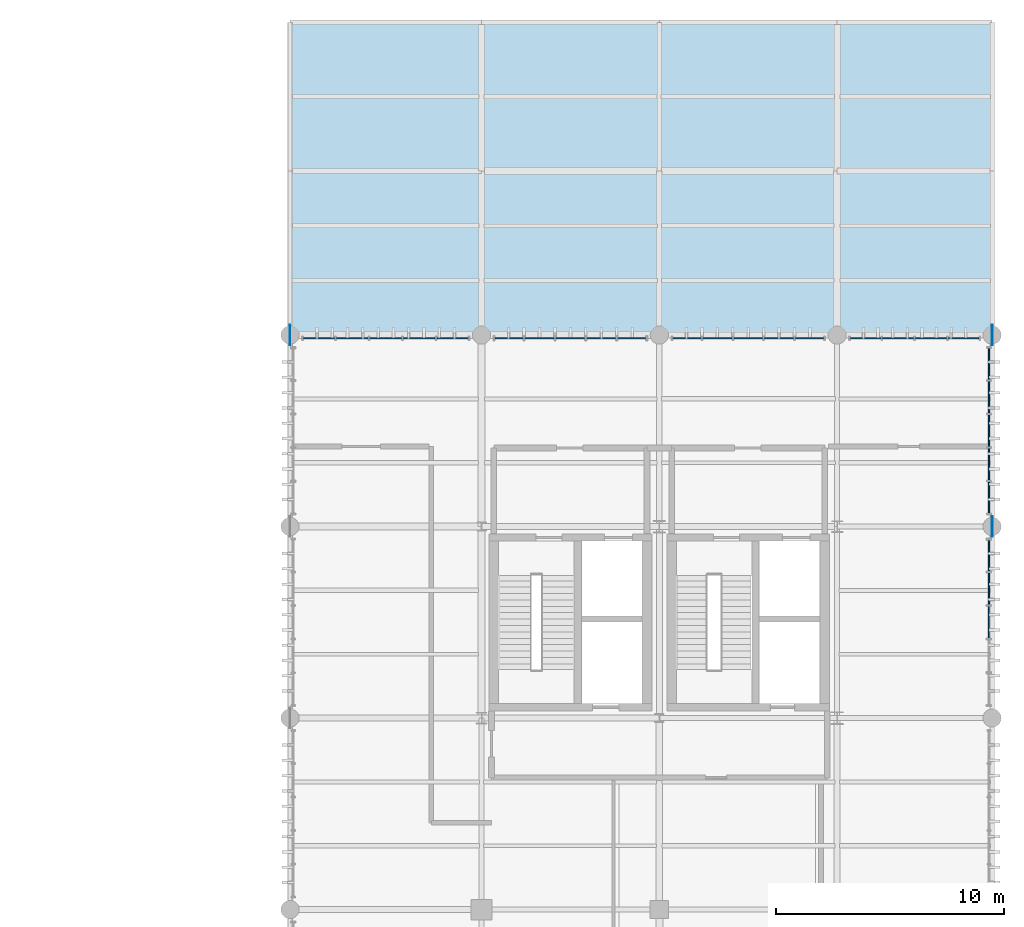
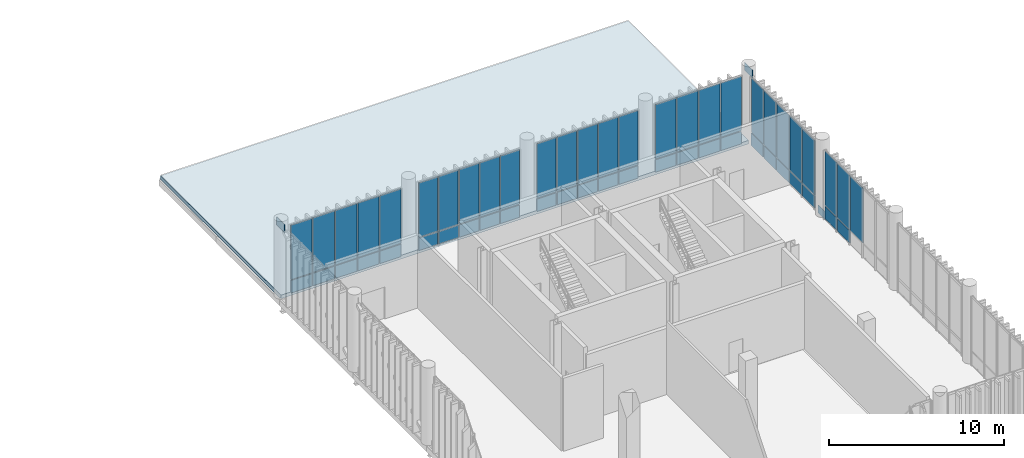
# One storey, part 103 of 128: 56 plates, 1 slab, 6 elements without a shape of their own.
"""IFC4 building model written with IfcOpenShell, lengths in metres."""

from ifc_helpers import new_model, si_unit, direction, frame, frame_2d, origin_with_axes, origin_2d_with_axis, place, context, subcontext, project, spatial, polyline, rectangle, outline, extrude, material, layer, layer_set, type_object, element, aggregate, save


model = new_model("IFC4")

# Units and contexts
model_context = context("Model", 3, precision=1e-05, world=origin_with_axes(), true_north=direction((0.0, 1.0)))
body_context = subcontext(model_context, "Body", "Model", "MODEL_VIEW")
ifc_project = project(units=[si_unit("LENGTHUNIT", "METRE"), si_unit("AREAUNIT", "SQUARE_METRE"), si_unit("VOLUMEUNIT", "CUBIC_METRE"), si_unit("PLANEANGLEUNIT", "RADIAN"), si_unit("MASSUNIT", "GRAM", prefix="KILO"), si_unit("THERMODYNAMICTEMPERATUREUNIT", "KELVIN")], contexts=[model_context])

# Site, building, storey
site_placement = place(None, origin_with_axes())
site = spatial("IfcSite", under=ifc_project, at=site_placement, CompositionType="ELEMENT")
building_placement = place(site_placement, origin_with_axes())
building = spatial("IfcBuilding", under=site, at=building_placement, Name="Montbau Bow Law Courts", CompositionType="ELEMENT")
storey_placement = place(building_placement, frame((0.0, 0.0, 5.4), z_axis=(0.0, 0.0, 1.0), x_axis=(1.0, 0.0, 0.0)))
storey = spatial("IfcBuildingStorey", under=building, at=storey_placement, Name="L01", CompositionType="ELEMENT", Elevation=5.4)

# Curtain wall, plates
ifc_material_1 = material(Name="Thermally Broken Extruded Aluminium AA 6063-T6", Category="aluminium")
curtain_wall_type = type_object("IfcCurtainWallType", Name="CW-SLT-01", PredefinedType="NOTDEFINED", material=ifc_material_1)
curtain_wall_1_placement = place(None, frame((139.115, 103.06, 5.4), z_axis=(0.0, 0.0, 1.0), x_axis=(1.0, 0.0, 0.0)))
curtain_wall_1 = element("IfcCurtainWall", 1, at=curtain_wall_1_placement, inside=storey, type_object=curtain_wall_type, Name="CW-L01-281:cw_0281", PredefinedType="NOTDEFINED")
ifc_material_2 = material(Name="Triple-Glazed Low-E Argon Insulating Glass Unit", Category="glass")
ifc_layer_1 = layer(ifc_material_2, 0.044, Name="Curtain Panel", Category="glass")
ifc_layer_set_1 = layer_set([ifc_layer_1], Name="Triple-Glazed Low-E Argon Insulating Glass Unit")
plate_type_1 = type_object("IfcPlateType", Name="PL-CWP-01", PredefinedType="CURTAIN_PANEL", material=ifc_layer_set_1)
plate_1_placement = place(None, frame((139.177, 103.06, 6.379), z_axis=(0.0, -1.0, 0.0), x_axis=(1.0, 0.0, 0.0)))
plate_1 = element("IfcPlate", 2, at=plate_1_placement, type_object=plate_type_1, Name="CW-L01-281-P01-2:cw_0281_P01_2", PredefinedType="CURTAIN_PANEL", context=body_context, shape_type="SweptSolid", body=[
    extrude(rectangle(XDim=1.38, YDim=3.784, at=frame_2d((0.69, 1.892), x_axis=(1.0, 0.0))), frame((0.0, 0.0, -0.022), z_axis=(0.0, 0.0, 1.0), x_axis=(1.0, 0.0, 0.0)), (0.0, 0.0, 1.0), 0.044),
])
plate_2_placement = place(None, frame((140.621, 103.06, 6.379), z_axis=(0.0, -1.0, 0.0), x_axis=(1.0, 0.0, 0.0)))
plate_2 = element("IfcPlate", 3, at=plate_2_placement, type_object=plate_type_1, Name="CW-L01-281-P02-2:cw_0281_P02_2", PredefinedType="CURTAIN_PANEL", context=body_context, shape_type="SweptSolid", body=[
    extrude(rectangle(XDim=1.41, YDim=3.784, at=frame_2d((0.705, 1.892), x_axis=(1.0, 0.0))), frame((0.0, 0.0, -0.022), z_axis=(0.0, 0.0, 1.0), x_axis=(1.0, 0.0, 0.0)), (0.0, 0.0, 1.0), 0.044),
])
plate_3_placement = place(None, frame((142.095, 103.06, 6.379), z_axis=(0.0, -1.0, 0.0), x_axis=(1.0, 0.0, 0.0)))
plate_3 = element("IfcPlate", 4, at=plate_3_placement, type_object=plate_type_1, Name="CW-L01-281-P03-2:cw_0281_P03_2", PredefinedType="CURTAIN_PANEL", context=body_context, shape_type="SweptSolid", body=[
    extrude(rectangle(XDim=1.41, YDim=3.784, at=frame_2d((0.705, 1.892), x_axis=(1.0, 0.0))), frame((0.0, 0.0, -0.022), z_axis=(0.0, 0.0, 1.0), x_axis=(1.0, 0.0, 0.0)), (0.0, 0.0, 1.0), 0.044),
])
plate_4_placement = place(None, frame((143.569, 103.06, 6.379), z_axis=(0.0, -1.0, 0.0), x_axis=(1.0, 0.0, 0.0)))
plate_4 = element("IfcPlate", 5, at=plate_4_placement, type_object=plate_type_1, Name="CW-L01-281-P04-2:cw_0281_P04_2", PredefinedType="CURTAIN_PANEL", context=body_context, shape_type="SweptSolid", body=[
    extrude(rectangle(XDim=1.41, YDim=3.784, at=frame_2d((0.705, 1.892), x_axis=(1.0, 0.0))), frame((0.0, 0.0, -0.022), z_axis=(0.0, 0.0, 1.0), x_axis=(1.0, 0.0, 0.0)), (0.0, 0.0, 1.0), 0.044),
])
plate_5_placement = place(None, frame((145.043, 103.06, 6.379), z_axis=(0.0, -1.0, 0.0), x_axis=(1.0, 0.0, 0.0)))
plate_5 = element("IfcPlate", 6, at=plate_5_placement, type_object=plate_type_1, Name="CW-L01-281-P05-2:cw_0281_P05_2", PredefinedType="CURTAIN_PANEL", context=body_context, shape_type="SweptSolid", body=[
    extrude(rectangle(XDim=1.38, YDim=3.784, at=frame_2d((0.69, 1.892), x_axis=(1.0, 0.0))), frame((0.0, 0.0, -0.022), z_axis=(0.0, 0.0, 1.0), x_axis=(1.0, 0.0, 0.0)), (0.0, 0.0, 1.0), 0.044),
])

curtain_wall_2_placement = place(None, frame((147.515, 103.06, 5.4), z_axis=(0.0, 0.0, 1.0), x_axis=(1.0, 0.0, 0.0)))
curtain_wall_2 = element("IfcCurtainWall", 7, at=curtain_wall_2_placement, inside=storey, type_object=curtain_wall_type, Name="CW-L01-282:cw_0282", PredefinedType="NOTDEFINED")
plate_6_placement = place(None, frame((147.591, 103.06, 6.382), z_axis=(0.0, -1.0, 0.0), x_axis=(1.0, 0.0, 0.0)))
plate_6 = element("IfcPlate", 8, at=plate_6_placement, type_object=plate_type_1, Name="CW-L01-282-P01-2:cw_0282_P01_2", PredefinedType="CURTAIN_PANEL", context=body_context, shape_type="SweptSolid", body=[
    extrude(rectangle(XDim=1.239, YDim=3.776, at=frame_2d((0.6195, 1.888), x_axis=(1.0, 0.0))), frame((0.0, 0.0, -0.022), z_axis=(0.0, 0.0, 1.0), x_axis=(1.0, 0.0, 0.0)), (0.0, 0.0, 1.0), 0.044),
])
plate_7_placement = place(None, frame((148.909, 103.06, 6.382), z_axis=(0.0, -1.0, 0.0), x_axis=(1.0, 0.0, 0.0)))
plate_7 = element("IfcPlate", 9, at=plate_7_placement, type_object=plate_type_1, Name="CW-L01-282-P02-2:cw_0282_P02_2", PredefinedType="CURTAIN_PANEL", context=body_context, shape_type="SweptSolid", body=[
    extrude(rectangle(XDim=1.275, YDim=3.776, at=frame_2d((0.6375, 1.888), x_axis=(1.0, 0.0))), frame((0.0, 0.0, -0.022), z_axis=(0.0, 0.0, 1.0), x_axis=(1.0, 0.0, 0.0)), (0.0, 0.0, 1.0), 0.044),
])
plate_8_placement = place(None, frame((150.263, 103.06, 6.382), z_axis=(0.0, -1.0, 0.0), x_axis=(1.0, 0.0, 0.0)))
plate_8 = element("IfcPlate", 10, at=plate_8_placement, type_object=plate_type_1, Name="CW-L01-282-P03-2:cw_0282_P03_2", PredefinedType="CURTAIN_PANEL", context=body_context, shape_type="SweptSolid", body=[
    extrude(rectangle(XDim=1.275, YDim=3.776, at=frame_2d((0.6375, 1.888), x_axis=(1.0, 0.0))), frame((0.0, 0.0, -0.022), z_axis=(0.0, 0.0, 1.0), x_axis=(1.0, 0.0, 0.0)), (0.0, 0.0, 1.0), 0.044),
])
plate_9_placement = place(None, frame((151.616, 103.06, 6.382), z_axis=(0.0, -1.0, 0.0), x_axis=(1.0, 0.0, 0.0)))
plate_9 = element("IfcPlate", 11, at=plate_9_placement, type_object=plate_type_1, Name="CW-L01-282-P04-2:cw_0282_P04_2", PredefinedType="CURTAIN_PANEL", context=body_context, shape_type="SweptSolid", body=[
    extrude(rectangle(XDim=1.276, YDim=3.776, at=frame_2d((0.638, 1.888), x_axis=(1.0, 0.0))), frame((0.0, 0.0, -0.022), z_axis=(0.0, 0.0, 1.0), x_axis=(1.0, 0.0, 0.0)), (0.0, 0.0, 1.0), 0.044),
])
plate_10_placement = place(None, frame((152.97, 103.06, 6.382), z_axis=(0.0, -1.0, 0.0), x_axis=(1.0, 0.0, 0.0)))
plate_10 = element("IfcPlate", 12, at=plate_10_placement, type_object=plate_type_1, Name="CW-L01-282-P05-2:cw_0282_P05_2", PredefinedType="CURTAIN_PANEL", context=body_context, shape_type="SweptSolid", body=[
    extrude(rectangle(XDim=1.239, YDim=3.776, at=frame_2d((0.6195, 1.888), x_axis=(1.0, 0.0))), frame((0.0, 0.0, -0.022), z_axis=(0.0, 0.0, 1.0), x_axis=(1.0, 0.0, 0.0)), (0.0, 0.0, 1.0), 0.044),
])

curtain_wall_3_placement = place(None, frame((155.315, 103.06, 5.4), z_axis=(0.0, 0.0, 1.0), x_axis=(1.0, 0.0, 0.0)))
curtain_wall_3 = element("IfcCurtainWall", 13, at=curtain_wall_3_placement, inside=storey, type_object=curtain_wall_type, Name="CW-L01-283:cw_0283", PredefinedType="NOTDEFINED")
plate_11_placement = place(None, frame((155.383, 103.06, 6.379), z_axis=(0.0, -1.0, 0.0), x_axis=(1.0, 0.0, 0.0)))
plate_11 = element("IfcPlate", 14, at=plate_11_placement, type_object=plate_type_1, Name="CW-L01-283-P01-2:cw_0283_P01_2", PredefinedType="CURTAIN_PANEL", context=body_context, shape_type="SweptSolid", body=[
    extrude(rectangle(XDim=1.252, YDim=3.784, at=frame_2d((0.626, 1.892), x_axis=(1.0, 0.0))), frame((0.0, 0.0, -0.022), z_axis=(0.0, 0.0, 1.0), x_axis=(1.0, 0.0, 0.0)), (0.0, 0.0, 1.0), 0.044),
])
plate_12_placement = place(None, frame((156.704, 103.06, 6.379), z_axis=(0.0, -1.0, 0.0), x_axis=(1.0, 0.0, 0.0)))
plate_12 = element("IfcPlate", 15, at=plate_12_placement, type_object=plate_type_1, Name="CW-L01-283-P02-2:cw_0283_P02_2", PredefinedType="CURTAIN_PANEL", context=body_context, shape_type="SweptSolid", body=[
    extrude(rectangle(XDim=1.285, YDim=3.784, at=frame_2d((0.6425, 1.892), x_axis=(1.0, 0.0))), frame((0.0, 0.0, -0.022), z_axis=(0.0, 0.0, 1.0), x_axis=(1.0, 0.0, 0.0)), (0.0, 0.0, 1.0), 0.044),
])
plate_13_placement = place(None, frame((158.058, 103.06, 6.379), z_axis=(0.0, -1.0, 0.0), x_axis=(1.0, 0.0, 0.0)))
plate_13 = element("IfcPlate", 16, at=plate_13_placement, type_object=plate_type_1, Name="CW-L01-283-P03-2:cw_0283_P03_2", PredefinedType="CURTAIN_PANEL", context=body_context, shape_type="SweptSolid", body=[
    extrude(rectangle(XDim=1.285, YDim=3.784, at=frame_2d((0.6425, 1.892), x_axis=(1.0, 0.0))), frame((0.0, 0.0, -0.022), z_axis=(0.0, 0.0, 1.0), x_axis=(1.0, 0.0, 0.0)), (0.0, 0.0, 1.0), 0.044),
])
plate_14_placement = place(None, frame((159.411, 103.06, 6.379), z_axis=(0.0, -1.0, 0.0), x_axis=(1.0, 0.0, 0.0)))
plate_14 = element("IfcPlate", 17, at=plate_14_placement, type_object=plate_type_1, Name="CW-L01-283-P04-2:cw_0283_P04_2", PredefinedType="CURTAIN_PANEL", context=body_context, shape_type="SweptSolid", body=[
    extrude(rectangle(XDim=1.286, YDim=3.784, at=frame_2d((0.643, 1.892), x_axis=(1.0, 0.0))), frame((0.0, 0.0, -0.022), z_axis=(0.0, 0.0, 1.0), x_axis=(1.0, 0.0, 0.0)), (0.0, 0.0, 1.0), 0.044),
])
plate_15_placement = place(None, frame((160.765, 103.06, 6.379), z_axis=(0.0, -1.0, 0.0), x_axis=(1.0, 0.0, 0.0)))
plate_15 = element("IfcPlate", 18, at=plate_15_placement, type_object=plate_type_1, Name="CW-L01-283-P05-2:cw_0283_P05_2", PredefinedType="CURTAIN_PANEL", context=body_context, shape_type="SweptSolid", body=[
    extrude(rectangle(XDim=1.254, YDim=3.784, at=frame_2d((0.627, 1.892), x_axis=(1.0, 0.0))), frame((0.0, 0.0, -0.022), z_axis=(0.0, 0.0, 1.0), x_axis=(1.0, 0.0, 0.0)), (0.0, 0.0, 1.0), 0.044),
])

curtain_wall_4_placement = place(None, frame((163.115, 103.06, 5.4), z_axis=(0.0, 0.0, 1.0), x_axis=(1.0, 0.0, 0.0)))
curtain_wall_4 = element("IfcCurtainWall", 19, at=curtain_wall_4_placement, inside=storey, type_object=curtain_wall_type, Name="CW-L01-284:cw_0284", PredefinedType="NOTDEFINED")
plate_16_placement = place(None, frame((163.177, 103.06, 6.382), z_axis=(0.0, -1.0, 0.0), x_axis=(1.0, 0.0, 0.0)))
plate_16 = element("IfcPlate", 20, at=plate_16_placement, type_object=plate_type_1, Name="CW-L01-284-P01-2:cw_0284_P01_2", PredefinedType="CURTAIN_PANEL", context=body_context, shape_type="SweptSolid", body=[
    extrude(rectangle(XDim=1.348, YDim=3.776, at=frame_2d((0.674, 1.888), x_axis=(1.0, 0.0))), frame((0.0, 0.0, -0.022), z_axis=(0.0, 0.0, 1.0), x_axis=(1.0, 0.0, 0.0)), (0.0, 0.0, 1.0), 0.044),
])
plate_17_placement = place(None, frame((164.589, 103.06, 6.382), z_axis=(0.0, -1.0, 0.0), x_axis=(1.0, 0.0, 0.0)))
plate_17 = element("IfcPlate", 21, at=plate_17_placement, type_object=plate_type_1, Name="CW-L01-284-P02-2:cw_0284_P02_2", PredefinedType="CURTAIN_PANEL", context=body_context, shape_type="SweptSolid", body=[
    extrude(rectangle(XDim=1.379, YDim=3.776, at=frame_2d((0.6895, 1.888), x_axis=(1.0, 0.0))), frame((0.0, 0.0, -0.022), z_axis=(0.0, 0.0, 1.0), x_axis=(1.0, 0.0, 0.0)), (0.0, 0.0, 1.0), 0.044),
])
plate_18_placement = place(None, frame((166.032, 103.06, 6.382), z_axis=(0.0, -1.0, 0.0), x_axis=(1.0, 0.0, 0.0)))
plate_18 = element("IfcPlate", 22, at=plate_18_placement, type_object=plate_type_1, Name="CW-L01-284-P03-2:cw_0284_P03_2", PredefinedType="CURTAIN_PANEL", context=body_context, shape_type="SweptSolid", body=[
    extrude(rectangle(XDim=1.378, YDim=3.776, at=frame_2d((0.689, 1.888), x_axis=(1.0, 0.0))), frame((0.0, 0.0, -0.022), z_axis=(0.0, 0.0, 1.0), x_axis=(1.0, 0.0, 0.0)), (0.0, 0.0, 1.0), 0.044),
])
plate_19_placement = place(None, frame((167.474, 103.06, 6.382), z_axis=(0.0, -1.0, 0.0), x_axis=(1.0, 0.0, 0.0)))
plate_19 = element("IfcPlate", 23, at=plate_19_placement, type_object=plate_type_1, Name="CW-L01-284-P04-2:cw_0284_P04_2", PredefinedType="CURTAIN_PANEL", context=body_context, shape_type="SweptSolid", body=[
    extrude(rectangle(XDim=1.349, YDim=3.776, at=frame_2d((0.6745, 1.888), x_axis=(1.0, 0.0))), frame((0.0, 0.0, -0.022), z_axis=(0.0, 0.0, 1.0), x_axis=(1.0, 0.0, 0.0)), (0.0, 0.0, 1.0), 0.044),
])

curtain_wall_5_placement = place(None, frame((169.26, 86.915, 5.4), z_axis=(0.0, 0.0, 1.0), x_axis=(1.0, 0.0, 0.0)))
curtain_wall_5 = element("IfcCurtainWall", 24, at=curtain_wall_5_placement, inside=storey, type_object=curtain_wall_type, Name="CW-L01-291:cw_0291", PredefinedType="NOTDEFINED")
plate_20_placement = place(None, frame((169.26, 89.902, 6.379), z_axis=(1.0, 0.0, 0.0), x_axis=(0.0, 1.0, 0.0)))
plate_20 = element("IfcPlate", 25, at=plate_20_placement, type_object=plate_type_1, Name="CW-L01-291-P03-2:cw_0291_P03_2", PredefinedType="CURTAIN_PANEL", context=body_context, shape_type="SweptSolid", body=[
    extrude(rectangle(XDim=1.396, YDim=3.784, at=frame_2d((0.698, 1.892), x_axis=(1.0, 0.0))), frame((0.0, 0.0, -0.022), z_axis=(0.0, 0.0, 1.0), x_axis=(1.0, 0.0, 0.0)), (0.0, 0.0, 1.0), 0.044),
])
plate_21_placement = place(None, frame((169.26, 91.376, 6.379), z_axis=(1.0, 0.0, 0.0), x_axis=(0.0, 1.0, 0.0)))
plate_21 = element("IfcPlate", 26, at=plate_21_placement, type_object=plate_type_1, Name="CW-L01-291-P04-2:cw_0291_P04_2", PredefinedType="CURTAIN_PANEL", context=body_context, shape_type="SweptSolid", body=[
    extrude(rectangle(XDim=1.396, YDim=3.784, at=frame_2d((0.698, 1.892), x_axis=(1.0, 0.0))), frame((0.0, 0.0, -0.022), z_axis=(0.0, 0.0, 1.0), x_axis=(1.0, 0.0, 0.0)), (0.0, 0.0, 1.0), 0.044),
])
plate_22_placement = place(None, frame((169.26, 92.85, 6.379), z_axis=(1.0, 0.0, 0.0), x_axis=(0.0, 1.0, 0.0)))
plate_22 = element("IfcPlate", 27, at=plate_22_placement, type_object=plate_type_1, Name="CW-L01-291-P05-2:cw_0291_P05_2", PredefinedType="CURTAIN_PANEL", context=body_context, shape_type="SweptSolid", body=[
    extrude(rectangle(XDim=1.358, YDim=3.784, at=frame_2d((0.679, 1.892), x_axis=(1.0, 0.0))), frame((0.0, 0.0, -0.022), z_axis=(0.0, 0.0, 1.0), x_axis=(1.0, 0.0, 0.0)), (0.0, 0.0, 1.0), 0.044),
])

curtain_wall_6_placement = place(None, frame((169.26, 95.315, 5.4), z_axis=(0.0, 0.0, 1.0), x_axis=(1.0, 0.0, 0.0)))
curtain_wall_6 = element("IfcCurtainWall", 28, at=curtain_wall_6_placement, inside=storey, type_object=curtain_wall_type, Name="CW-L01-292:cw_0292", PredefinedType="NOTDEFINED")
plate_23_placement = place(None, frame((169.26, 95.383, 6.382), z_axis=(1.0, 0.0, 0.0), x_axis=(0.0, 1.0, 0.0)))
plate_23 = element("IfcPlate", 29, at=plate_23_placement, type_object=plate_type_1, Name="CW-L01-292-P01-2:cw_0292_P01_2", PredefinedType="CURTAIN_PANEL", context=body_context, shape_type="SweptSolid", body=[
    extrude(rectangle(XDim=1.372, YDim=3.776, at=frame_2d((0.686, 1.888), x_axis=(1.0, 0.0))), frame((0.0, 0.0, -0.022), z_axis=(0.0, 0.0, 1.0), x_axis=(1.0, 0.0, 0.0)), (0.0, 0.0, 1.0), 0.044),
])
plate_24_placement = place(None, frame((169.26, 96.823, 6.382), z_axis=(1.0, 0.0, 0.0), x_axis=(0.0, 1.0, 0.0)))
plate_24 = element("IfcPlate", 30, at=plate_24_placement, type_object=plate_type_1, Name="CW-L01-292-P02-2:cw_0292_P02_2", PredefinedType="CURTAIN_PANEL", context=body_context, shape_type="SweptSolid", body=[
    extrude(rectangle(XDim=1.405, YDim=3.776, at=frame_2d((0.7025, 1.888), x_axis=(1.0, 0.0))), frame((0.0, 0.0, -0.022), z_axis=(0.0, 0.0, 1.0), x_axis=(1.0, 0.0, 0.0)), (0.0, 0.0, 1.0), 0.044),
])
plate_25_placement = place(None, frame((169.26, 98.297, 6.382), z_axis=(1.0, 0.0, 0.0), x_axis=(0.0, 1.0, 0.0)))
plate_25 = element("IfcPlate", 31, at=plate_25_placement, type_object=plate_type_1, Name="CW-L01-292-P03-2:cw_0292_P03_2", PredefinedType="CURTAIN_PANEL", context=body_context, shape_type="SweptSolid", body=[
    extrude(rectangle(XDim=1.406, YDim=3.776, at=frame_2d((0.703, 1.888), x_axis=(1.0, 0.0))), frame((0.0, 0.0, -0.022), z_axis=(0.0, 0.0, 1.0), x_axis=(1.0, 0.0, 0.0)), (0.0, 0.0, 1.0), 0.044),
])
plate_26_placement = place(None, frame((169.26, 99.771, 6.382), z_axis=(1.0, 0.0, 0.0), x_axis=(0.0, 1.0, 0.0)))
plate_26 = element("IfcPlate", 32, at=plate_26_placement, type_object=plate_type_1, Name="CW-L01-292-P04-2:cw_0292_P04_2", PredefinedType="CURTAIN_PANEL", context=body_context, shape_type="SweptSolid", body=[
    extrude(rectangle(XDim=1.406, YDim=3.776, at=frame_2d((0.703, 1.888), x_axis=(1.0, 0.0))), frame((0.0, 0.0, -0.022), z_axis=(0.0, 0.0, 1.0), x_axis=(1.0, 0.0, 0.0)), (0.0, 0.0, 1.0), 0.044),
])
plate_27_placement = place(None, frame((169.26, 101.245, 6.382), z_axis=(1.0, 0.0, 0.0), x_axis=(0.0, 1.0, 0.0)))
plate_27 = element("IfcPlate", 33, at=plate_27_placement, type_object=plate_type_1, Name="CW-L01-292-P05-2:cw_0292_P05_2", PredefinedType="CURTAIN_PANEL", context=body_context, shape_type="SweptSolid", body=[
    extrude(rectangle(XDim=1.374, YDim=3.776, at=frame_2d((0.687, 1.888), x_axis=(1.0, 0.0))), frame((0.0, 0.0, -0.022), z_axis=(0.0, 0.0, 1.0), x_axis=(1.0, 0.0, 0.0)), (0.0, 0.0, 1.0), 0.044),
])

# Plate
ifc_material_3 = material(Name="Insulated Ceramic-Frit Spandrel Glazing Unit", Category="glass")
ifc_layer_2 = layer(ifc_material_3, 0.056, Name="Curtain Panel", Category="glass")
ifc_layer_set_2 = layer_set([ifc_layer_2], Name="Insulated Ceramic-Frit Spandrel Glazing Unit")
plate_type_2 = type_object("IfcPlateType", Name="PL-CWP-02", PredefinedType="CURTAIN_PANEL", material=ifc_layer_set_2)
plate_28_placement = place(None, frame((139.177, 103.06, 5.457), z_axis=(0.0, -1.0, 0.0), x_axis=(1.0, 0.0, 0.0)))
plate_28 = element("IfcPlate", 34, at=plate_28_placement, type_object=plate_type_2, Name="CW-L01-281-P01-1:cw_0281_P01_1", PredefinedType="CURTAIN_PANEL", context=body_context, shape_type="SweptSolid", body=[
    extrude(rectangle(XDim=1.38, YDim=0.864, at=frame_2d((0.69, 0.432), x_axis=(1.0, 0.0))), frame((0.0, 0.0, -0.028), z_axis=(0.0, 0.0, 1.0), x_axis=(1.0, 0.0, 0.0)), (0.0, 0.0, 1.0), 0.056),
])

plate_29_placement = place(None, frame((140.621, 103.06, 5.457), z_axis=(0.0, -1.0, 0.0), x_axis=(1.0, 0.0, 0.0)))
plate_29 = element("IfcPlate", 35, at=plate_29_placement, type_object=plate_type_2, Name="CW-L01-281-P02-1:cw_0281_P02_1", PredefinedType="CURTAIN_PANEL", context=body_context, shape_type="SweptSolid", body=[
    extrude(rectangle(XDim=1.41, YDim=0.864, at=frame_2d((0.705, 0.432), x_axis=(1.0, 0.0))), frame((0.0, 0.0, -0.028), z_axis=(0.0, 0.0, 1.0), x_axis=(1.0, 0.0, 0.0)), (0.0, 0.0, 1.0), 0.056),
])

plate_30_placement = place(None, frame((142.095, 103.06, 5.457), z_axis=(0.0, -1.0, 0.0), x_axis=(1.0, 0.0, 0.0)))
plate_30 = element("IfcPlate", 36, at=plate_30_placement, type_object=plate_type_2, Name="CW-L01-281-P03-1:cw_0281_P03_1", PredefinedType="CURTAIN_PANEL", context=body_context, shape_type="SweptSolid", body=[
    extrude(rectangle(XDim=1.41, YDim=0.864, at=frame_2d((0.705, 0.432), x_axis=(1.0, 0.0))), frame((0.0, 0.0, -0.028), z_axis=(0.0, 0.0, 1.0), x_axis=(1.0, 0.0, 0.0)), (0.0, 0.0, 1.0), 0.056),
])

plate_31_placement = place(None, frame((143.569, 103.06, 5.457), z_axis=(0.0, -1.0, 0.0), x_axis=(1.0, 0.0, 0.0)))
plate_31 = element("IfcPlate", 37, at=plate_31_placement, type_object=plate_type_2, Name="CW-L01-281-P04-1:cw_0281_P04_1", PredefinedType="CURTAIN_PANEL", context=body_context, shape_type="SweptSolid", body=[
    extrude(rectangle(XDim=1.41, YDim=0.864, at=frame_2d((0.705, 0.432), x_axis=(1.0, 0.0))), frame((0.0, 0.0, -0.028), z_axis=(0.0, 0.0, 1.0), x_axis=(1.0, 0.0, 0.0)), (0.0, 0.0, 1.0), 0.056),
])

plate_32_placement = place(None, frame((145.043, 103.06, 5.457), z_axis=(0.0, -1.0, 0.0), x_axis=(1.0, 0.0, 0.0)))
plate_32 = element("IfcPlate", 38, at=plate_32_placement, type_object=plate_type_2, Name="CW-L01-281-P05-1:cw_0281_P05_1", PredefinedType="CURTAIN_PANEL", context=body_context, shape_type="SweptSolid", body=[
    extrude(rectangle(XDim=1.38, YDim=0.864, at=frame_2d((0.69, 0.432), x_axis=(1.0, 0.0))), frame((0.0, 0.0, -0.028), z_axis=(0.0, 0.0, 1.0), x_axis=(1.0, 0.0, 0.0)), (0.0, 0.0, 1.0), 0.056),
])

aggregate(curtain_wall_1, [plate_28, plate_1, plate_29, plate_2, plate_30, plate_3, plate_31, plate_4, plate_32, plate_5])

plate_33_placement = place(None, frame((147.591, 103.06, 5.462), z_axis=(0.0, -1.0, 0.0), x_axis=(1.0, 0.0, 0.0)))
plate_33 = element("IfcPlate", 39, at=plate_33_placement, type_object=plate_type_2, Name="CW-L01-282-P01-1:cw_0282_P01_1", PredefinedType="CURTAIN_PANEL", context=body_context, shape_type="SweptSolid", body=[
    extrude(rectangle(XDim=1.239, YDim=0.856, at=frame_2d((0.6195, 0.428), x_axis=(1.0, 0.0))), frame((0.0, 0.0, -0.028), z_axis=(0.0, 0.0, 1.0), x_axis=(1.0, 0.0, 0.0)), (0.0, 0.0, 1.0), 0.056),
])

plate_34_placement = place(None, frame((148.909, 103.06, 5.462), z_axis=(0.0, -1.0, 0.0), x_axis=(1.0, 0.0, 0.0)))
plate_34 = element("IfcPlate", 40, at=plate_34_placement, type_object=plate_type_2, Name="CW-L01-282-P02-1:cw_0282_P02_1", PredefinedType="CURTAIN_PANEL", context=body_context, shape_type="SweptSolid", body=[
    extrude(rectangle(XDim=1.275, YDim=0.856, at=frame_2d((0.6375, 0.428), x_axis=(1.0, 0.0))), frame((0.0, 0.0, -0.028), z_axis=(0.0, 0.0, 1.0), x_axis=(1.0, 0.0, 0.0)), (0.0, 0.0, 1.0), 0.056),
])

plate_35_placement = place(None, frame((150.263, 103.06, 5.462), z_axis=(0.0, -1.0, 0.0), x_axis=(1.0, 0.0, 0.0)))
plate_35 = element("IfcPlate", 41, at=plate_35_placement, type_object=plate_type_2, Name="CW-L01-282-P03-1:cw_0282_P03_1", PredefinedType="CURTAIN_PANEL", context=body_context, shape_type="SweptSolid", body=[
    extrude(rectangle(XDim=1.275, YDim=0.856, at=frame_2d((0.6375, 0.428), x_axis=(1.0, 0.0))), frame((0.0, 0.0, -0.028), z_axis=(0.0, 0.0, 1.0), x_axis=(1.0, 0.0, 0.0)), (0.0, 0.0, 1.0), 0.056),
])

plate_36_placement = place(None, frame((151.616, 103.06, 5.462), z_axis=(0.0, -1.0, 0.0), x_axis=(1.0, 0.0, 0.0)))
plate_36 = element("IfcPlate", 42, at=plate_36_placement, type_object=plate_type_2, Name="CW-L01-282-P04-1:cw_0282_P04_1", PredefinedType="CURTAIN_PANEL", context=body_context, shape_type="SweptSolid", body=[
    extrude(rectangle(XDim=1.276, YDim=0.856, at=frame_2d((0.638, 0.428), x_axis=(1.0, 0.0))), frame((0.0, 0.0, -0.028), z_axis=(0.0, 0.0, 1.0), x_axis=(1.0, 0.0, 0.0)), (0.0, 0.0, 1.0), 0.056),
])

plate_37_placement = place(None, frame((152.97, 103.06, 5.462), z_axis=(0.0, -1.0, 0.0), x_axis=(1.0, 0.0, 0.0)))
plate_37 = element("IfcPlate", 43, at=plate_37_placement, type_object=plate_type_2, Name="CW-L01-282-P05-1:cw_0282_P05_1", PredefinedType="CURTAIN_PANEL", context=body_context, shape_type="SweptSolid", body=[
    extrude(rectangle(XDim=1.239, YDim=0.856, at=frame_2d((0.6195, 0.428), x_axis=(1.0, 0.0))), frame((0.0, 0.0, -0.028), z_axis=(0.0, 0.0, 1.0), x_axis=(1.0, 0.0, 0.0)), (0.0, 0.0, 1.0), 0.056),
])

aggregate(curtain_wall_2, [plate_33, plate_6, plate_34, plate_7, plate_35, plate_8, plate_36, plate_9, plate_37, plate_10])

plate_38_placement = place(None, frame((155.383, 103.06, 5.457), z_axis=(0.0, -1.0, 0.0), x_axis=(1.0, 0.0, 0.0)))
plate_38 = element("IfcPlate", 44, at=plate_38_placement, type_object=plate_type_2, Name="CW-L01-283-P01-1:cw_0283_P01_1", PredefinedType="CURTAIN_PANEL", context=body_context, shape_type="SweptSolid", body=[
    extrude(rectangle(XDim=1.252, YDim=0.864, at=frame_2d((0.626, 0.432), x_axis=(1.0, 0.0))), frame((0.0, 0.0, -0.028), z_axis=(0.0, 0.0, 1.0), x_axis=(1.0, 0.0, 0.0)), (0.0, 0.0, 1.0), 0.056),
])

plate_39_placement = place(None, frame((156.704, 103.06, 5.457), z_axis=(0.0, -1.0, 0.0), x_axis=(1.0, 0.0, 0.0)))
plate_39 = element("IfcPlate", 45, at=plate_39_placement, type_object=plate_type_2, Name="CW-L01-283-P02-1:cw_0283_P02_1", PredefinedType="CURTAIN_PANEL", context=body_context, shape_type="SweptSolid", body=[
    extrude(rectangle(XDim=1.285, YDim=0.864, at=frame_2d((0.6425, 0.432), x_axis=(1.0, 0.0))), frame((0.0, 0.0, -0.028), z_axis=(0.0, 0.0, 1.0), x_axis=(1.0, 0.0, 0.0)), (0.0, 0.0, 1.0), 0.056),
])

plate_40_placement = place(None, frame((158.058, 103.06, 5.457), z_axis=(0.0, -1.0, 0.0), x_axis=(1.0, 0.0, 0.0)))
plate_40 = element("IfcPlate", 46, at=plate_40_placement, type_object=plate_type_2, Name="CW-L01-283-P03-1:cw_0283_P03_1", PredefinedType="CURTAIN_PANEL", context=body_context, shape_type="SweptSolid", body=[
    extrude(rectangle(XDim=1.285, YDim=0.864, at=frame_2d((0.6425, 0.432), x_axis=(1.0, 0.0))), frame((0.0, 0.0, -0.028), z_axis=(0.0, 0.0, 1.0), x_axis=(1.0, 0.0, 0.0)), (0.0, 0.0, 1.0), 0.056),
])

plate_41_placement = place(None, frame((159.411, 103.06, 5.457), z_axis=(0.0, -1.0, 0.0), x_axis=(1.0, 0.0, 0.0)))
plate_41 = element("IfcPlate", 47, at=plate_41_placement, type_object=plate_type_2, Name="CW-L01-283-P04-1:cw_0283_P04_1", PredefinedType="CURTAIN_PANEL", context=body_context, shape_type="SweptSolid", body=[
    extrude(rectangle(XDim=1.286, YDim=0.864, at=frame_2d((0.643, 0.432), x_axis=(1.0, 0.0))), frame((0.0, 0.0, -0.028), z_axis=(0.0, 0.0, 1.0), x_axis=(1.0, 0.0, 0.0)), (0.0, 0.0, 1.0), 0.056),
])

plate_42_placement = place(None, frame((160.765, 103.06, 5.457), z_axis=(0.0, -1.0, 0.0), x_axis=(1.0, 0.0, 0.0)))
plate_42 = element("IfcPlate", 48, at=plate_42_placement, type_object=plate_type_2, Name="CW-L01-283-P05-1:cw_0283_P05_1", PredefinedType="CURTAIN_PANEL", context=body_context, shape_type="SweptSolid", body=[
    extrude(rectangle(XDim=1.254, YDim=0.864, at=frame_2d((0.627, 0.432), x_axis=(1.0, 0.0))), frame((0.0, 0.0, -0.028), z_axis=(0.0, 0.0, 1.0), x_axis=(1.0, 0.0, 0.0)), (0.0, 0.0, 1.0), 0.056),
])

aggregate(curtain_wall_3, [plate_38, plate_11, plate_39, plate_12, plate_40, plate_13, plate_41, plate_14, plate_42, plate_15])

plate_43_placement = place(None, frame((163.177, 103.06, 5.462), z_axis=(0.0, -1.0, 0.0), x_axis=(1.0, 0.0, 0.0)))
plate_43 = element("IfcPlate", 49, at=plate_43_placement, type_object=plate_type_2, Name="CW-L01-284-P01-1:cw_0284_P01_1", PredefinedType="CURTAIN_PANEL", context=body_context, shape_type="SweptSolid", body=[
    extrude(rectangle(XDim=1.348, YDim=0.856, at=frame_2d((0.674, 0.428), x_axis=(1.0, 0.0))), frame((0.0, 0.0, -0.028), z_axis=(0.0, 0.0, 1.0), x_axis=(1.0, 0.0, 0.0)), (0.0, 0.0, 1.0), 0.056),
])

plate_44_placement = place(None, frame((164.589, 103.06, 5.462), z_axis=(0.0, -1.0, 0.0), x_axis=(1.0, 0.0, 0.0)))
plate_44 = element("IfcPlate", 50, at=plate_44_placement, type_object=plate_type_2, Name="CW-L01-284-P02-1:cw_0284_P02_1", PredefinedType="CURTAIN_PANEL", context=body_context, shape_type="SweptSolid", body=[
    extrude(rectangle(XDim=1.379, YDim=0.856, at=frame_2d((0.6895, 0.428), x_axis=(1.0, 0.0))), frame((0.0, 0.0, -0.028), z_axis=(0.0, 0.0, 1.0), x_axis=(1.0, 0.0, 0.0)), (0.0, 0.0, 1.0), 0.056),
])

plate_45_placement = place(None, frame((166.032, 103.06, 5.462), z_axis=(0.0, -1.0, 0.0), x_axis=(1.0, 0.0, 0.0)))
plate_45 = element("IfcPlate", 51, at=plate_45_placement, type_object=plate_type_2, Name="CW-L01-284-P03-1:cw_0284_P03_1", PredefinedType="CURTAIN_PANEL", context=body_context, shape_type="SweptSolid", body=[
    extrude(rectangle(XDim=1.378, YDim=0.856, at=frame_2d((0.689, 0.428), x_axis=(1.0, 0.0))), frame((0.0, 0.0, -0.028), z_axis=(0.0, 0.0, 1.0), x_axis=(1.0, 0.0, 0.0)), (0.0, 0.0, 1.0), 0.056),
])

plate_46_placement = place(None, frame((167.474, 103.06, 5.462), z_axis=(0.0, -1.0, 0.0), x_axis=(1.0, 0.0, 0.0)))
plate_46 = element("IfcPlate", 52, at=plate_46_placement, type_object=plate_type_2, Name="CW-L01-284-P04-1:cw_0284_P04_1", PredefinedType="CURTAIN_PANEL", context=body_context, shape_type="SweptSolid", body=[
    extrude(rectangle(XDim=1.349, YDim=0.856, at=frame_2d((0.6745, 0.428), x_axis=(1.0, 0.0))), frame((0.0, 0.0, -0.028), z_axis=(0.0, 0.0, 1.0), x_axis=(1.0, 0.0, 0.0)), (0.0, 0.0, 1.0), 0.056),
])

aggregate(curtain_wall_4, [plate_43, plate_16, plate_44, plate_17, plate_45, plate_18, plate_46, plate_19])

plate_47_placement = place(None, frame((169.26, 91.376, 5.457), z_axis=(1.0, 0.0, 0.0), x_axis=(0.0, 1.0, 0.0)))
plate_47 = element("IfcPlate", 53, at=plate_47_placement, type_object=plate_type_2, Name="CW-L01-291-P04-1:cw_0291_P04_1", PredefinedType="CURTAIN_PANEL", context=body_context, shape_type="SweptSolid", body=[
    extrude(rectangle(XDim=1.396, YDim=0.864, at=frame_2d((0.698, 0.432), x_axis=(1.0, 0.0))), frame((0.0, 0.0, -0.028), z_axis=(0.0, 0.0, 1.0), x_axis=(1.0, 0.0, 0.0)), (0.0, 0.0, 1.0), 0.056),
])

plate_48_placement = place(None, frame((169.26, 92.85, 5.457), z_axis=(1.0, 0.0, 0.0), x_axis=(0.0, 1.0, 0.0)))
plate_48 = element("IfcPlate", 54, at=plate_48_placement, type_object=plate_type_2, Name="CW-L01-291-P05-1:cw_0291_P05_1", PredefinedType="CURTAIN_PANEL", context=body_context, shape_type="SweptSolid", body=[
    extrude(rectangle(XDim=1.358, YDim=0.864, at=frame_2d((0.679, 0.432), x_axis=(1.0, 0.0))), frame((0.0, 0.0, -0.028), z_axis=(0.0, 0.0, 1.0), x_axis=(1.0, 0.0, 0.0)), (0.0, 0.0, 1.0), 0.056),
])

aggregate(curtain_wall_5, [plate_20, plate_47, plate_21, plate_48, plate_22])

plate_49_placement = place(None, frame((169.26, 95.383, 5.462), z_axis=(1.0, 0.0, 0.0), x_axis=(0.0, 1.0, 0.0)))
plate_49 = element("IfcPlate", 55, at=plate_49_placement, type_object=plate_type_2, Name="CW-L01-292-P01-1:cw_0292_P01_1", PredefinedType="CURTAIN_PANEL", context=body_context, shape_type="SweptSolid", body=[
    extrude(rectangle(XDim=1.372, YDim=0.856, at=frame_2d((0.686, 0.428), x_axis=(1.0, 0.0))), frame((0.0, 0.0, -0.028), z_axis=(0.0, 0.0, 1.0), x_axis=(1.0, 0.0, 0.0)), (0.0, 0.0, 1.0), 0.056),
])

plate_50_placement = place(None, frame((169.26, 96.823, 5.462), z_axis=(1.0, 0.0, 0.0), x_axis=(0.0, 1.0, 0.0)))
plate_50 = element("IfcPlate", 56, at=plate_50_placement, type_object=plate_type_2, Name="CW-L01-292-P02-1:cw_0292_P02_1", PredefinedType="CURTAIN_PANEL", context=body_context, shape_type="SweptSolid", body=[
    extrude(rectangle(XDim=1.405, YDim=0.856, at=frame_2d((0.7025, 0.428), x_axis=(1.0, 0.0))), frame((0.0, 0.0, -0.028), z_axis=(0.0, 0.0, 1.0), x_axis=(1.0, 0.0, 0.0)), (0.0, 0.0, 1.0), 0.056),
])

plate_51_placement = place(None, frame((169.26, 98.297, 5.462), z_axis=(1.0, 0.0, 0.0), x_axis=(0.0, 1.0, 0.0)))
plate_51 = element("IfcPlate", 57, at=plate_51_placement, type_object=plate_type_2, Name="CW-L01-292-P03-1:cw_0292_P03_1", PredefinedType="CURTAIN_PANEL", context=body_context, shape_type="SweptSolid", body=[
    extrude(rectangle(XDim=1.406, YDim=0.856, at=frame_2d((0.703, 0.428), x_axis=(1.0, 0.0))), frame((0.0, 0.0, -0.028), z_axis=(0.0, 0.0, 1.0), x_axis=(1.0, 0.0, 0.0)), (0.0, 0.0, 1.0), 0.056),
])

plate_52_placement = place(None, frame((169.26, 99.771, 5.462), z_axis=(1.0, 0.0, 0.0), x_axis=(0.0, 1.0, 0.0)))
plate_52 = element("IfcPlate", 58, at=plate_52_placement, type_object=plate_type_2, Name="CW-L01-292-P04-1:cw_0292_P04_1", PredefinedType="CURTAIN_PANEL", context=body_context, shape_type="SweptSolid", body=[
    extrude(rectangle(XDim=1.406, YDim=0.856, at=frame_2d((0.703, 0.428), x_axis=(1.0, 0.0))), frame((0.0, 0.0, -0.028), z_axis=(0.0, 0.0, 1.0), x_axis=(1.0, 0.0, 0.0)), (0.0, 0.0, 1.0), 0.056),
])

plate_53_placement = place(None, frame((169.26, 101.245, 5.462), z_axis=(1.0, 0.0, 0.0), x_axis=(0.0, 1.0, 0.0)))
plate_53 = element("IfcPlate", 59, at=plate_53_placement, type_object=plate_type_2, Name="CW-L01-292-P05-1:cw_0292_P05_1", PredefinedType="CURTAIN_PANEL", context=body_context, shape_type="SweptSolid", body=[
    extrude(rectangle(XDim=1.374, YDim=0.856, at=frame_2d((0.687, 0.428), x_axis=(1.0, 0.0))), frame((0.0, 0.0, -0.028), z_axis=(0.0, 0.0, 1.0), x_axis=(1.0, 0.0, 0.0)), (0.0, 0.0, 1.0), 0.056),
])

aggregate(curtain_wall_6, [plate_49, plate_23, plate_50, plate_24, plate_51, plate_25, plate_52, plate_26, plate_53, plate_27])

# Plates
ifc_material_4 = material(Name="Steel CSA G40.21 Grade 350WT (350 MPa)", Category="steel")
ifc_layer_3 = layer(ifc_material_4, 0.032, Name="Gusset Plate", Category="steel")
ifc_layer_set_3 = layer_set([ifc_layer_3], Name="Steel CSA G40.21 Grade 350WT (350 MPa)")
plate_type_3 = type_object("IfcPlateType", Name="PL-GUS-01", PredefinedType="USERDEFINED", material=ifc_layer_set_3)
for number, where, z_axis, x_axis, name in (
    (60, (138.6, 103.2, 10.017), (0.0, 0.0, 1.0), (0.0, 1.0, 0.0), "BGP-L01-153:plt_0184"),
    (61, (169.4, 94.8, 5.17), (0.0, 0.0, 1.0), (0.0, 1.0, 0.0), "BGP-L01-166:plt_0197"),
    (62, (169.4, 103.2, 10.017), (0.0, 0.0, 1.0), (0.0, 1.0, 0.0), "BGP-L01-167:plt_0198"),
):
    element("IfcPlate", number, at=place(None, frame(where, z_axis=z_axis, x_axis=x_axis)), inside=storey, type_object=plate_type_3, Name=name, ObjectType="GUSSET_PLATE", PredefinedType="USERDEFINED", context=body_context, shape_type="SweptSolid", body=[
        extrude(rectangle(XDim=0.9, YDim=0.032, at=origin_2d_with_axis()), origin_with_axes(), (0.0, 0.0, 1.0), 0.56),
    ])

# Slab
ifc_material_5 = material(Name="Concrete CSA A23.1 f'c 40 MPa", Category="concrete")
ifc_layer_4 = layer(ifc_material_5, 0.25, Name="Roof Slab", Category="concrete")
ifc_layer_set_4 = layer_set([ifc_layer_4], Name="Concrete CSA A23.1 f'c 40 MPa")
slab_type = type_object("IfcSlabType", Name="SL-ROF-01", PredefinedType="ROOF", material=ifc_layer_set_4)
slab_placement = place(None, frame((0.0, 0.0, 5.15), z_axis=(0.0, 0.0, 1.0), x_axis=(1.0, 0.0, 0.0)))
element("IfcSlab", 63, at=slab_placement, inside=storey, type_object=slab_type, Name="RF-SLB-LID-L01-13:slb_0064", PredefinedType="ROOF", context=body_context, shape_type="SweptSolid", body=[
    extrude(outline(polyline([(138.6, 116.92), (169.4, 116.92), (169.4, 103.204), (138.6, 103.204), (138.6, 116.92)])), origin_with_axes(), (0.0, 0.0, 1.0), 0.25),
])

save(model, "model.ifc")
